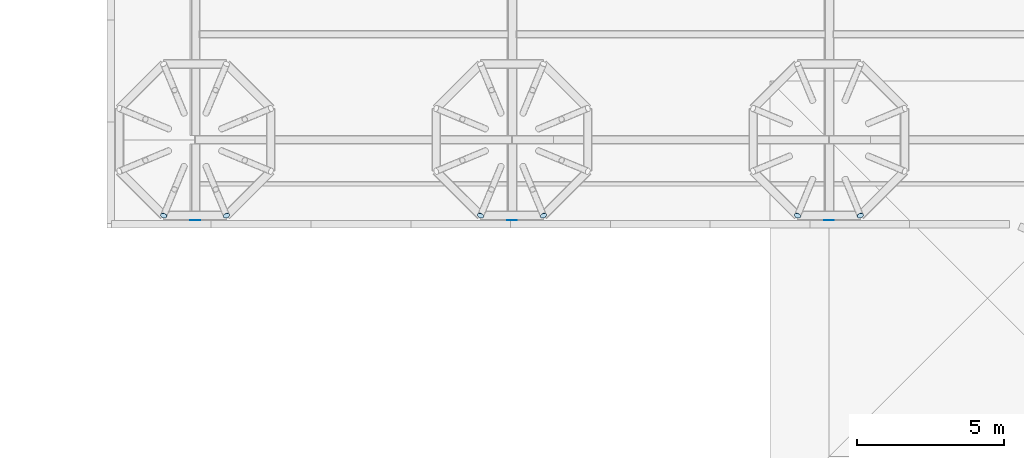
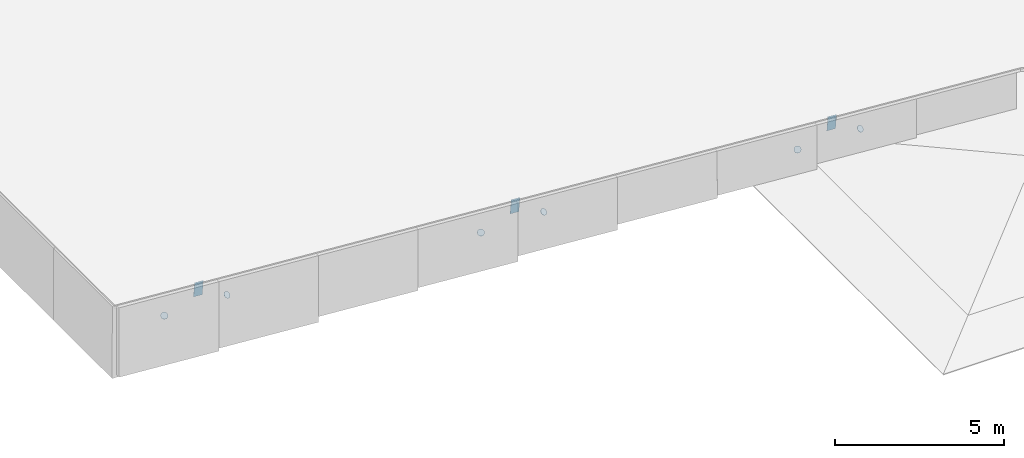
# One storey, part 56 of 95: 9 plates.
"""IFC4 building model written with IfcOpenShell, lengths in metres."""

import ifcopenshell
import ifcopenshell.guid

model = None  # the IFC model being written
_history = None  # IfcOwnerHistory: only IFC2X3 demands one
_inside = {}  # id of a spatial element -> (the spatial element, [elements in it])
_under = {}  # id of a project, library or spatial element -> (it, [spatial elements below it])
_declared = {}  # id of a project -> (the project, [libraries it declares])
_typed = {}  # id of a type object -> (the type object, [elements of that type])
_made_of = {}  # id of a material, layer set ... -> (it, [elements and type objects made of it])


def new_model(schema):
    """Start an empty IFC model of exactly this schema.

    Asked for "IFC4X3", IfcOpenShell would pick the latest addendum, in which some entities
    have other attributes; the version numbers below select the first issue.
    IFC2X3 requires an IfcOwnerHistory on every rooted entity: one is made here for all.
    """
    global model, _history
    if schema == "IFC4X3":
        model = ifcopenshell.file(schema_version=(4, 3, 0, 0))
    else:
        model = ifcopenshell.file(schema=schema)
    _inside.clear()
    _under.clear()
    _declared.clear()
    _typed.clear()
    _made_of.clear()
    _history = None
    if model.schema == "IFC2X3":
        org = make("IfcOrganization", Name="unknown")
        user = make(
            "IfcPersonAndOrganization",
            ThePerson=make("IfcPerson", FamilyName="unknown"),
            TheOrganization=org,
        )
        app = make(
            "IfcApplication",
            ApplicationDeveloper=org,
            Version="unknown",
            ApplicationFullName="unknown",
            ApplicationIdentifier="unknown",
        )
        _history = make(
            "IfcOwnerHistory",
            OwningUser=user,
            OwningApplication=app,
            ChangeAction="ADDED",
            CreationDate=0,
        )
    return model


def make(cls, **values):
    """One entity of the class cls with the attributes given. An attribute that is None is left unset."""
    return model.create_entity(
        cls, **{name: value for name, value in values.items() if value is not None}
    )


def rooted(cls, **values):
    """An entity with a GlobalId (a new one), such as an element, a storey or a relation."""
    return make(cls, GlobalId=ifcopenshell.guid.new(), OwnerHistory=_history, **values)


def si_unit(unit_type, name, prefix=None):
    """IfcSIUnit, for example si_unit("LENGTHUNIT", "METRE", prefix="MILLI")."""
    return make("IfcSIUnit", UnitType=unit_type, Prefix=prefix, Name=name)


def assignment(units):
    """IfcUnitAssignment: the units of a project."""
    return None if units is None else make("IfcUnitAssignment", Units=units)


def point(xyz):
    """IfcCartesianPoint."""
    return None if xyz is None else make("IfcCartesianPoint", Coordinates=xyz)


def direction(xyz):
    """IfcDirection."""
    return None if xyz is None else make("IfcDirection", DirectionRatios=xyz)


def frame(location, z_axis=None, x_axis=None):
    """IfcAxis2Placement3D, a coordinate frame: its origin and axes. An axis left out is left unset."""
    return make(
        "IfcAxis2Placement3D",
        Location=point(location),
        Axis=direction(z_axis),
        RefDirection=direction(x_axis),
    )


def frame_2d(location, x_axis=None):
    """IfcAxis2Placement2D, a coordinate frame in the plane: its origin and x axis."""
    return make(
        "IfcAxis2Placement2D", Location=point(location), RefDirection=direction(x_axis)
    )


def origin():
    """The frame at (0, 0, 0) with its axes left unset."""
    return frame((0.0, 0.0, 0.0))


def origin_2d():
    """The frame at (0, 0) in the plane with its x axis left unset."""
    return frame_2d((0.0, 0.0))


def place(relative_to, where):
    """IfcLocalPlacement: puts the frame where relative to a parent placement (None: the world)."""
    return make(
        "IfcLocalPlacement", PlacementRelTo=relative_to, RelativePlacement=where
    )


def context(
    kind, dimensions, precision=None, world=None, true_north=None, identifier=None
):
    """IfcGeometricRepresentationContext, for example the 3D "Model" context."""
    return make(
        "IfcGeometricRepresentationContext",
        ContextIdentifier=identifier,
        ContextType=kind,
        CoordinateSpaceDimension=dimensions,
        Precision=precision,
        WorldCoordinateSystem=world,
        TrueNorth=true_north,
    )


def subcontext(parent, identifier, kind, view, scale=None):
    """IfcGeometricRepresentationSubContext, for example "Body" below "Model"."""
    return make(
        "IfcGeometricRepresentationSubContext",
        ContextIdentifier=identifier,
        ContextType=kind,
        ParentContext=parent,
        TargetScale=scale,
        TargetView=view,
    )


def project(units=None, contexts=None):
    """IfcProject with its units and contexts."""
    return rooted(
        "IfcProject",
        Name="project",
        RepresentationContexts=contexts,
        UnitsInContext=assignment(units),
    )


def spatial(cls, under=None, at=None, **own):
    """A site, building, storey or space (cls), placed at a placement, below another one or the project."""
    s = rooted(cls, ObjectPlacement=at, **own)
    if under is not None:
        _under.setdefault(under.id(), (under, []))[1].append(s)
    return s


def profile(cls, at=None, kind="AREA", **sizes):
    """A parametric profile (cls). Its sizes go by their IFC names, for example OverallWidth=200.0."""
    return make(cls, ProfileType=kind, Position=at, **sizes)


def rectangle(**sizes):
    """IfcRectangleProfileDef."""
    return profile("IfcRectangleProfileDef", **sizes)


def circle(**sizes):
    """IfcCircleProfileDef."""
    return profile("IfcCircleProfileDef", **sizes)


def extrude(swept, where, along, depth):
    """IfcExtrudedAreaSolid: the profile swept, set in the frame where, extruded along a direction by depth."""
    return make(
        "IfcExtrudedAreaSolid",
        SweptArea=swept,
        Position=where,
        ExtrudedDirection=direction(along),
        Depth=depth,
    )


def shape(context_of_items, identifier, shape_type, items):
    """IfcShapeRepresentation: the items that make up one representation, for example the "Body"."""
    return make(
        "IfcShapeRepresentation",
        ContextOfItems=context_of_items,
        RepresentationIdentifier=identifier,
        RepresentationType=shape_type,
        Items=items,
    )


def material(Name=None, Category=None):
    """IfcMaterial."""
    return make("IfcMaterial", Name=Name, Category=Category)


def material_profile(
    of_material, cross_section, Name=None, Category=None, Priority=None
):
    """IfcMaterialProfile: a cross section and its material."""
    return make(
        "IfcMaterialProfile",
        Name=Name,
        Material=of_material,
        Profile=cross_section,
        Priority=Priority,
        Category=Category,
    )


def profile_set(profiles, Name=None, composite=None):
    """IfcMaterialProfileSet."""
    return make(
        "IfcMaterialProfileSet",
        Name=Name,
        MaterialProfiles=profiles,
        CompositeProfile=composite,
    )


def made_of(thing, what):
    """Note that an element or type object is made of a material, layer set ...; save() writes the relation."""
    if what is not None:
        _made_of.setdefault(what.id(), (what, []))[1].append(thing)
    return thing


def type_object(cls, material=None, **own):
    """A type object (cls), such as IfcWallType, which elements share."""
    return made_of(rooted(cls, **own), material)


def element(
    cls,
    number,
    at=None,
    inside=None,
    cuts=None,
    type_object=None,
    material=None,
    context=None,
    identifier="Body",
    shape_type=None,
    held_by="IfcProductDefinitionShape",
    body=None,
    shapes=None,
    **own,
):
    """One element of the class cls, such as IfcWall. Its Tag is "e" and its number.

    at: its placement. inside: the storey or other place that contains it. cuts: it is an
    opening in that element (IfcRelVoidsElement). A single representation is given by context,
    identifier, shape_type and body (its items); several are given by shapes. held_by: the class
    of the entity that holds the representations. save() writes the other relations.
    """
    e = rooted(cls, Tag="e%d" % number, ObjectPlacement=at, **own)
    if body is not None:
        shapes = [shape(context, identifier, shape_type, body)]
    if shapes is not None:
        e.Representation = make(held_by, Representations=shapes)
    if inside is not None:
        _inside.setdefault(inside.id(), (inside, []))[1].append(e)
    if cuts is not None:
        rooted(
            "IfcRelVoidsElement", RelatingBuildingElement=cuts, RelatedOpeningElement=e
        )
    if type_object is not None:
        _typed.setdefault(type_object.id(), (type_object, []))[1].append(e)
    return made_of(e, material)


def aggregate(whole, parts):
    """IfcRelAggregates: a whole, such as a stair, and the parts it consists of."""
    return rooted("IfcRelAggregates", RelatingObject=whole, RelatedObjects=parts)


def save(model, path):
    """Write the relations noted so far, then the file.

    IfcRelAggregates (storeys below a building ...), IfcRelContainedInSpatialStructure (elements
    in a storey), IfcRelDefinesByType, IfcRelAssociatesMaterial and IfcRelDeclares: one each for
    every whole, place, type object, material and project.
    """
    for whole, parts in _under.values():
        aggregate(whole, parts)
    for where, things in _inside.values():
        rooted(
            "IfcRelContainedInSpatialStructure",
            RelatedElements=things,
            RelatingStructure=where,
        )
    for kind, things in _typed.values():
        rooted("IfcRelDefinesByType", RelatedObjects=things, RelatingType=kind)
    for what, things in _made_of.values():
        rooted("IfcRelAssociatesMaterial", RelatedObjects=things, RelatingMaterial=what)
    for by, libraries in _declared.values():
        rooted("IfcRelDeclares", RelatingContext=by, RelatedDefinitions=libraries)
    model.write(path)


model = new_model("IFC4")

# Units and contexts
model_context = context("Model", 3, precision=1e-05, world=origin(), true_north=direction((0.0, 1.0)))
body_context = subcontext(model_context, "Body", "Model", "MODEL_VIEW")
ifc_project = project(units=[si_unit("LENGTHUNIT", "METRE"), si_unit("AREAUNIT", "SQUARE_METRE"), si_unit("VOLUMEUNIT", "CUBIC_METRE"), si_unit("PLANEANGLEUNIT", "RADIAN"), si_unit("MASSUNIT", "GRAM", prefix="KILO")], contexts=[model_context])

# Site, building, storey
site_placement = place(None, origin())
site = spatial("IfcSite", under=ifc_project, at=site_placement, CompositionType="ELEMENT")
building_placement = place(site_placement, origin())
building = spatial("IfcBuilding", under=site, at=building_placement, Name="Magnolia Steps Interchange", CompositionType="ELEMENT")
storey_placement = place(building_placement, frame((0.0, 0.0, 4.800048828125)))
storey = spatial("IfcBuildingStorey", under=building, at=storey_placement, Name="L01", CompositionType="ELEMENT", Elevation=4.800048828125)

# Plates
ifc_material_1 = material(Name="Steel Q355B", Category="steel")
ifc_material_profile_1 = material_profile(ifc_material_1, circle(Radius=0.109619140625, at=origin_2d()), Name="End plate CHS219x10")
ifc_profile_set_1 = profile_set([ifc_material_profile_1], Name="Steel Q355B")
plate_type_1 = type_object("IfcPlateType", Name="End plate CHS219x10", PredefinedType="SHEET", material=ifc_profile_set_1)
for number, where, z_axis, x_axis, name in (
    (1, (149.331298828125, 39.820068359375, 3.131103515625), (-0.275279424158, -0.664583318381, 0.694658370398), (0.923879532336, -0.382683432789, 0.0), "End plate Tree rib"),
    (2, (151.46875, 39.820068359375, 3.131103515625), (0.275279424158, -0.664583318381, 0.694658370398), (0.923879532336, 0.382683432789, 0.0), "End plate Tree rib"),
    (3, (160.13134765625, 39.820068359375, 2.34375), (-0.275279424158, -0.664583318381, 0.694658370398), (0.923879532336, -0.382683432789, 0.0), "End plate Tree rib"),
    (4, (162.268798828125, 39.820068359375, 2.34375), (0.275279424158, -0.664583318381, 0.694658370398), (0.923879532336, 0.382683432789, 0.0), "End plate Tree rib"),
    (5, (170.931396484375, 39.820068359375, 1.55615234375), (-0.275279424158, -0.664583318381, 0.694658370398), (0.923879532336, -0.382683432789, 0.0), "End plate Tree rib"),
    (6, (173.068603515625, 39.820068359375, 1.55615234375), (0.275279424158, -0.664583318381, 0.694658370398), (0.923879532336, 0.382683432789, 0.0), "End plate Tree rib"),
):
    element("IfcPlate", number, at=place(storey_placement, frame(where, z_axis=z_axis, x_axis=x_axis)), inside=storey, type_object=plate_type_1, Name=name, PredefinedType="SHEET", context=body_context, shape_type="SweptSolid", body=[
        extrude(circle(Radius=0.109619140625, at=origin_2d()), origin(), (0.0, 0.0, 1.0), 0.008056640625),
    ])
ifc_material_2 = material(Name="Steel Q355B", Category="steel")
ifc_material_profile_2 = material_profile(ifc_material_2, rectangle(XDim=0.300048828125, YDim=0.5, at=origin_2d()), Name="End plate RHS500x300x16")
ifc_profile_set_2 = profile_set([ifc_material_profile_2], Name="Steel Q355B")
plate_type_2 = type_object("IfcPlateType", Name="End plate RHS500x300x16", PredefinedType="SHEET", material=ifc_profile_set_2)
for number, where, z_axis, x_axis, name in (
    (7, (150.39990234375, 39.659912109375, 3.830322265625), (0.0, -1.0, 0.0), (0.997352109794, 0.0, -0.072723923782), "End plate Roof beam"),
    (8, (161.199951171875, 39.659912109375, 3.042724609375), (0.0, -1.0, 0.0), (0.997352109794, 0.0, -0.072723923782), "End plate Roof beam"),
    (9, (172.0, 39.659912109375, 2.25537109375), (0.0, -1.0, 0.0), (0.997352109794, 0.0, -0.072723923782), "End plate Roof beam"),
):
    element("IfcPlate", number, at=place(storey_placement, frame(where, z_axis=z_axis, x_axis=x_axis)), inside=storey, type_object=plate_type_2, Name=name, PredefinedType="SHEET", context=body_context, shape_type="SweptSolid", body=[
        extrude(rectangle(XDim=0.300048828125, YDim=0.5, at=origin_2d()), origin(), (0.0, 0.0, 1.0), 0.008056640625),
    ])

save(model, "model.ifc")
